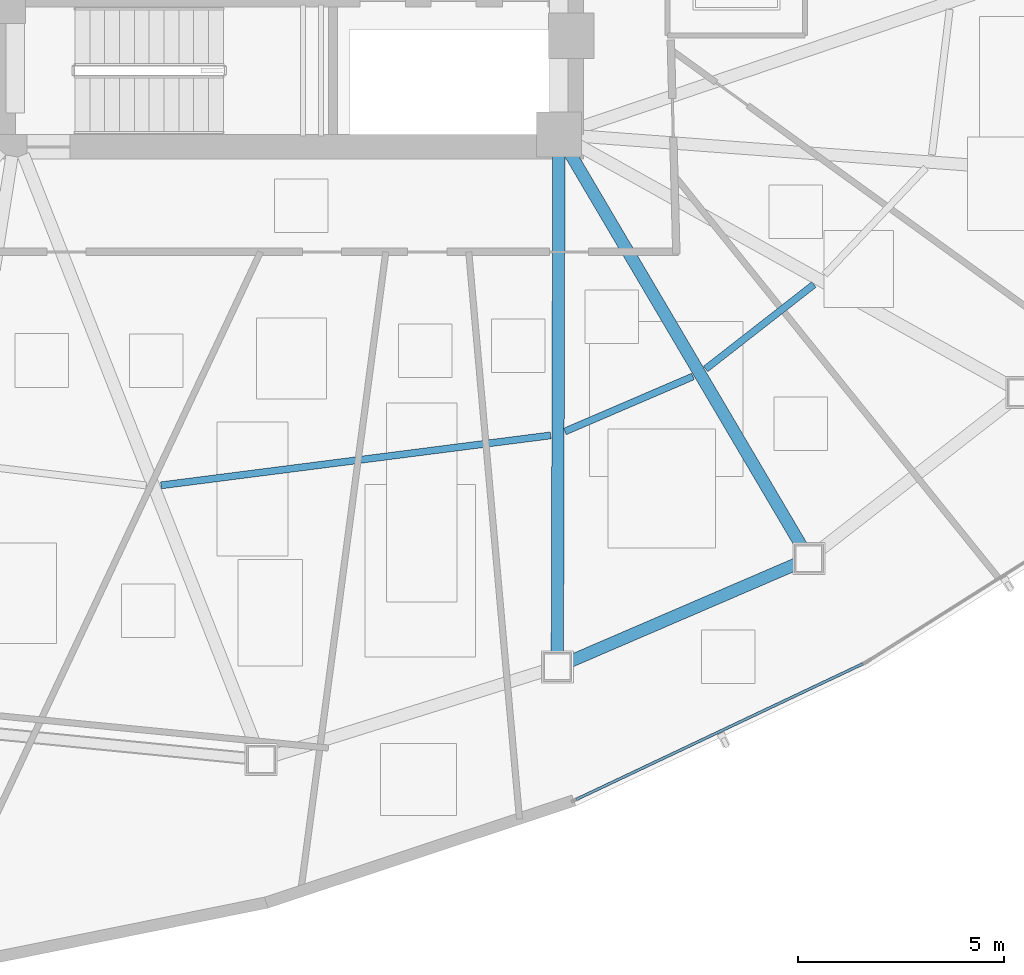
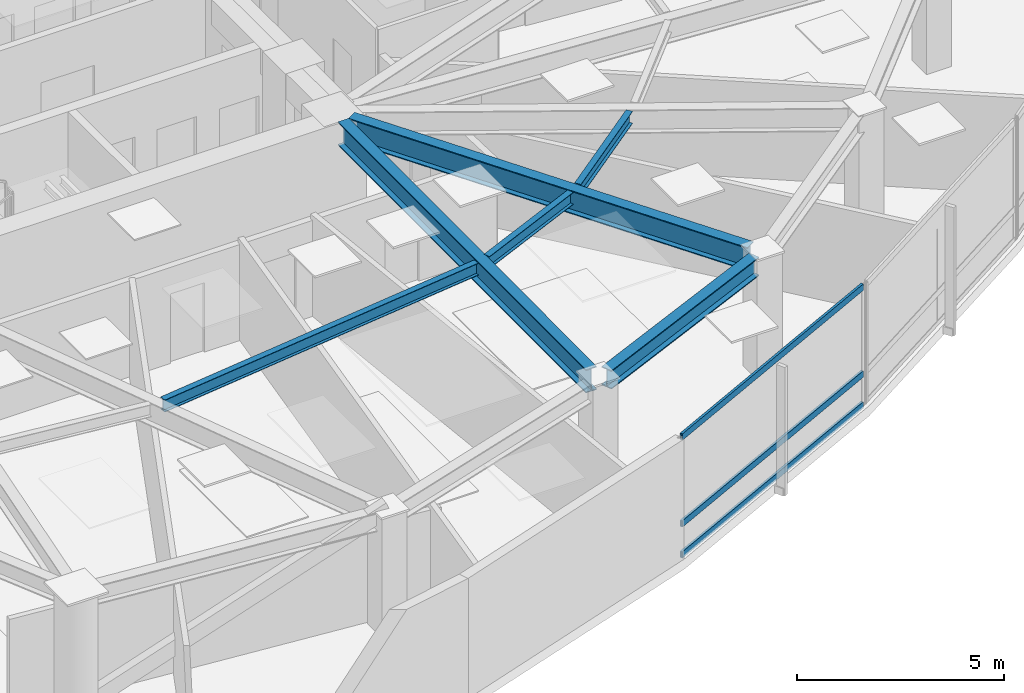
# One storey, part 3 of 17: 6 beams, 3 members, 1 element without a shape of its own.
"""IFC4 building model written with IfcOpenShell, lengths in metres."""

import ifcopenshell
import ifcopenshell.guid

model = None  # the IFC model being written
_history = None  # IfcOwnerHistory: only IFC2X3 demands one
_inside = {}  # id of a spatial element -> (the spatial element, [elements in it])
_under = {}  # id of a project, library or spatial element -> (it, [spatial elements below it])
_declared = {}  # id of a project -> (the project, [libraries it declares])
_typed = {}  # id of a type object -> (the type object, [elements of that type])
_made_of = {}  # id of a material, layer set ... -> (it, [elements and type objects made of it])


def new_model(schema):
    """Start an empty IFC model of exactly this schema.

    Asked for "IFC4X3", IfcOpenShell would pick the latest addendum, in which some entities
    have other attributes; the version numbers below select the first issue.
    IFC2X3 requires an IfcOwnerHistory on every rooted entity: one is made here for all.
    """
    global model, _history
    if schema == "IFC4X3":
        model = ifcopenshell.file(schema_version=(4, 3, 0, 0))
    else:
        model = ifcopenshell.file(schema=schema)
    _inside.clear()
    _under.clear()
    _declared.clear()
    _typed.clear()
    _made_of.clear()
    _history = None
    if model.schema == "IFC2X3":
        org = make("IfcOrganization", Name="unknown")
        user = make(
            "IfcPersonAndOrganization",
            ThePerson=make("IfcPerson", FamilyName="unknown"),
            TheOrganization=org,
        )
        app = make(
            "IfcApplication",
            ApplicationDeveloper=org,
            Version="unknown",
            ApplicationFullName="unknown",
            ApplicationIdentifier="unknown",
        )
        _history = make(
            "IfcOwnerHistory",
            OwningUser=user,
            OwningApplication=app,
            ChangeAction="ADDED",
            CreationDate=0,
        )
    return model


def make(cls, **values):
    """One entity of the class cls with the attributes given. An attribute that is None is left unset."""
    return model.create_entity(
        cls, **{name: value for name, value in values.items() if value is not None}
    )


def rooted(cls, **values):
    """An entity with a GlobalId (a new one), such as an element, a storey or a relation."""
    return make(cls, GlobalId=ifcopenshell.guid.new(), OwnerHistory=_history, **values)


def si_unit(unit_type, name, prefix=None):
    """IfcSIUnit, for example si_unit("LENGTHUNIT", "METRE", prefix="MILLI")."""
    return make("IfcSIUnit", UnitType=unit_type, Prefix=prefix, Name=name)


def assignment(units):
    """IfcUnitAssignment: the units of a project."""
    return None if units is None else make("IfcUnitAssignment", Units=units)


def point(xyz):
    """IfcCartesianPoint."""
    return None if xyz is None else make("IfcCartesianPoint", Coordinates=xyz)


def direction(xyz):
    """IfcDirection."""
    return None if xyz is None else make("IfcDirection", DirectionRatios=xyz)


def frame(location, z_axis=None, x_axis=None):
    """IfcAxis2Placement3D, a coordinate frame: its origin and axes. An axis left out is left unset."""
    return make(
        "IfcAxis2Placement3D",
        Location=point(location),
        Axis=direction(z_axis),
        RefDirection=direction(x_axis),
    )


def frame_2d(location, x_axis=None):
    """IfcAxis2Placement2D, a coordinate frame in the plane: its origin and x axis."""
    return make(
        "IfcAxis2Placement2D", Location=point(location), RefDirection=direction(x_axis)
    )


def origin():
    """The frame at (0, 0, 0) with its axes left unset."""
    return frame((0.0, 0.0, 0.0))


def origin_2d():
    """The frame at (0, 0) in the plane with its x axis left unset."""
    return frame_2d((0.0, 0.0))


def place(relative_to, where):
    """IfcLocalPlacement: puts the frame where relative to a parent placement (None: the world)."""
    return make(
        "IfcLocalPlacement", PlacementRelTo=relative_to, RelativePlacement=where
    )


def context(
    kind, dimensions, precision=None, world=None, true_north=None, identifier=None
):
    """IfcGeometricRepresentationContext, for example the 3D "Model" context."""
    return make(
        "IfcGeometricRepresentationContext",
        ContextIdentifier=identifier,
        ContextType=kind,
        CoordinateSpaceDimension=dimensions,
        Precision=precision,
        WorldCoordinateSystem=world,
        TrueNorth=true_north,
    )


def subcontext(parent, identifier, kind, view, scale=None):
    """IfcGeometricRepresentationSubContext, for example "Body" below "Model"."""
    return make(
        "IfcGeometricRepresentationSubContext",
        ContextIdentifier=identifier,
        ContextType=kind,
        ParentContext=parent,
        TargetScale=scale,
        TargetView=view,
    )


def project(units=None, contexts=None):
    """IfcProject with its units and contexts."""
    return rooted(
        "IfcProject",
        Name="project",
        RepresentationContexts=contexts,
        UnitsInContext=assignment(units),
    )


def spatial(cls, under=None, at=None, **own):
    """A site, building, storey or space (cls), placed at a placement, below another one or the project."""
    s = rooted(cls, ObjectPlacement=at, **own)
    if under is not None:
        _under.setdefault(under.id(), (under, []))[1].append(s)
    return s


def profile(cls, at=None, kind="AREA", **sizes):
    """A parametric profile (cls). Its sizes go by their IFC names, for example OverallWidth=200.0."""
    return make(cls, ProfileType=kind, Position=at, **sizes)


def hollow_rectangle(**sizes):
    """IfcRectangleHollowProfileDef."""
    return profile("IfcRectangleHollowProfileDef", **sizes)


def i_section(**sizes):
    """IfcIShapeProfileDef."""
    return profile("IfcIShapeProfileDef", **sizes)


def extrude(swept, where, along, depth):
    """IfcExtrudedAreaSolid: the profile swept, set in the frame where, extruded along a direction by depth."""
    return make(
        "IfcExtrudedAreaSolid",
        SweptArea=swept,
        Position=where,
        ExtrudedDirection=direction(along),
        Depth=depth,
    )


def shape(context_of_items, identifier, shape_type, items):
    """IfcShapeRepresentation: the items that make up one representation, for example the "Body"."""
    return make(
        "IfcShapeRepresentation",
        ContextOfItems=context_of_items,
        RepresentationIdentifier=identifier,
        RepresentationType=shape_type,
        Items=items,
    )


def source(mapping_origin, context_of_items, identifier, shape_type, items):
    """IfcRepresentationMap: a shape defined once, which mapped items show again and again."""
    return make(
        "IfcRepresentationMap",
        MappingOrigin=mapping_origin,
        MappedRepresentation=shape(context_of_items, identifier, shape_type, items),
    )


def transform(
    local_origin,
    x_axis=None,
    y_axis=None,
    z_axis=None,
    scale=None,
    scale2=None,
    scale3=None,
    uniform=True,
):
    """IfcCartesianTransformationOperator3D, or its non-uniform kind. x_axis, y_axis, z_axis: its Axis1, 2, 3."""
    if uniform:
        return make(
            "IfcCartesianTransformationOperator3D",
            Axis1=direction(x_axis),
            Axis2=direction(y_axis),
            LocalOrigin=point(local_origin),
            Scale=scale,
            Axis3=direction(z_axis),
        )
    return make(
        "IfcCartesianTransformationOperator3DnonUniform",
        Axis1=direction(x_axis),
        Axis2=direction(y_axis),
        LocalOrigin=point(local_origin),
        Scale=scale,
        Axis3=direction(z_axis),
        Scale2=scale2,
        Scale3=scale3,
    )


def mapped(mapping_source, mapping_target):
    """IfcMappedItem: shows the shape of a source again, moved by a transform."""
    return make(
        "IfcMappedItem", MappingSource=mapping_source, MappingTarget=mapping_target
    )


def material(Name=None, Category=None):
    """IfcMaterial."""
    return make("IfcMaterial", Name=Name, Category=Category)


def layer(
    of_material, thickness, ventilated=None, Name=None, Category=None, Priority=None
):
    """IfcMaterialLayer: one layer of a wall or slab, of a material (None: an air gap)."""
    return make(
        "IfcMaterialLayer",
        Material=of_material,
        LayerThickness=thickness,
        IsVentilated=ventilated,
        Name=Name,
        Category=Category,
        Priority=Priority,
    )


def layer_set(layers, Name=None):
    """IfcMaterialLayerSet."""
    return make("IfcMaterialLayerSet", MaterialLayers=layers, LayerSetName=Name)


def material_profile(
    of_material, cross_section, Name=None, Category=None, Priority=None
):
    """IfcMaterialProfile: a cross section and its material."""
    return make(
        "IfcMaterialProfile",
        Name=Name,
        Material=of_material,
        Profile=cross_section,
        Priority=Priority,
        Category=Category,
    )


def profile_set(profiles, Name=None, composite=None):
    """IfcMaterialProfileSet."""
    return make(
        "IfcMaterialProfileSet",
        Name=Name,
        MaterialProfiles=profiles,
        CompositeProfile=composite,
    )


def made_of(thing, what):
    """Note that an element or type object is made of a material, layer set ...; save() writes the relation."""
    if what is not None:
        _made_of.setdefault(what.id(), (what, []))[1].append(thing)
    return thing


def type_object(cls, material=None, **own):
    """A type object (cls), such as IfcWallType, which elements share."""
    return made_of(rooted(cls, **own), material)


def type_shapes(of_type, sources):
    """Give a type object the sources (RepresentationMaps) that its elements show as mapped items."""
    of_type.RepresentationMaps = sources


def element(
    cls,
    number,
    at=None,
    inside=None,
    cuts=None,
    type_object=None,
    material=None,
    context=None,
    identifier="Body",
    shape_type=None,
    held_by="IfcProductDefinitionShape",
    body=None,
    shapes=None,
    **own,
):
    """One element of the class cls, such as IfcWall. Its Tag is "e" and its number.

    at: its placement. inside: the storey or other place that contains it. cuts: it is an
    opening in that element (IfcRelVoidsElement). A single representation is given by context,
    identifier, shape_type and body (its items); several are given by shapes. held_by: the class
    of the entity that holds the representations. save() writes the other relations.
    """
    e = rooted(cls, Tag="e%d" % number, ObjectPlacement=at, **own)
    if body is not None:
        shapes = [shape(context, identifier, shape_type, body)]
    if shapes is not None:
        e.Representation = make(held_by, Representations=shapes)
    if inside is not None:
        _inside.setdefault(inside.id(), (inside, []))[1].append(e)
    if cuts is not None:
        rooted(
            "IfcRelVoidsElement", RelatingBuildingElement=cuts, RelatedOpeningElement=e
        )
    if type_object is not None:
        _typed.setdefault(type_object.id(), (type_object, []))[1].append(e)
    return made_of(e, material)


def aggregate(whole, parts):
    """IfcRelAggregates: a whole, such as a stair, and the parts it consists of."""
    return rooted("IfcRelAggregates", RelatingObject=whole, RelatedObjects=parts)


def save(model, path):
    """Write the relations noted so far, then the file.

    IfcRelAggregates (storeys below a building ...), IfcRelContainedInSpatialStructure (elements
    in a storey), IfcRelDefinesByType, IfcRelAssociatesMaterial and IfcRelDeclares: one each for
    every whole, place, type object, material and project.
    """
    for whole, parts in _under.values():
        aggregate(whole, parts)
    for where, things in _inside.values():
        rooted(
            "IfcRelContainedInSpatialStructure",
            RelatedElements=things,
            RelatingStructure=where,
        )
    for kind, things in _typed.values():
        rooted("IfcRelDefinesByType", RelatedObjects=things, RelatingType=kind)
    for what, things in _made_of.values():
        rooted("IfcRelAssociatesMaterial", RelatedObjects=things, RelatingMaterial=what)
    for by, libraries in _declared.values():
        rooted("IfcRelDeclares", RelatingContext=by, RelatedDefinitions=libraries)
    model.write(path)


model = new_model("IFC4")

# Units and contexts
model_context = context("Model", 3, precision=1e-05, world=origin(), true_north=direction((0.0, 1.0)))
body_context = subcontext(model_context, "Body", "Model", "MODEL_VIEW")
ifc_project = project(units=[si_unit("LENGTHUNIT", "METRE"), si_unit("AREAUNIT", "SQUARE_METRE"), si_unit("VOLUMEUNIT", "CUBIC_METRE"), si_unit("PLANEANGLEUNIT", "RADIAN"), si_unit("MASSUNIT", "GRAM", prefix="KILO")], contexts=[model_context])

# Site, building, storey
site_placement = place(None, origin())
site = spatial("IfcSite", under=ifc_project, at=site_placement, CompositionType="ELEMENT")
building_placement = place(site_placement, origin())
building = spatial("IfcBuilding", under=site, at=building_placement, Name="Tavelor Broadcast Tower", CompositionType="ELEMENT")
storey_placement = place(building_placement, frame((0.0, 0.0, 154.10009765625)))
storey = spatial("IfcBuildingStorey", under=building, at=storey_placement, Name="L36", CompositionType="ELEMENT", Elevation=154.10009765625)

# Beams
ifc_material_1 = material(Name="Steel S355", Category="steel")
ifc_material_profile_1 = material_profile(ifc_material_1, i_section(OverallWidth=0.169921875, OverallDepth=0.360107421875, WebThickness=0.008056640625, FlangeThickness=0.0126953125, at=origin_2d()), Name="IPE 360")
ifc_profile_set_1 = profile_set([ifc_material_profile_1], Name="Steel S355")
beam_type_1 = type_object("IfcBeamType", Name="Composite Floor Joist T3 IPE 360", PredefinedType="JOIST", material=ifc_profile_set_1)
beam_1_placement = place(storey_placement, frame((46.93701171875, 30.280517578125, 3.369873046875), z_axis=(0.991879926303, 0.12717787464, 0.0), x_axis=(-0.12717787464, 0.991879926303, 0.0)))
element("IfcBeam", 1, at=beam_1_placement, inside=storey, type_object=beam_type_1, Name="L36 Secondary Composite Floor Joist 08", PredefinedType="JOIST", context=body_context, shape_type="SweptSolid", body=[
    extrude(i_section(OverallWidth=0.169921875, OverallDepth=0.360107421875, WebThickness=0.008056640625, FlangeThickness=0.0126953125, at=origin_2d()), origin(), (0.0, 0.0, 1.0), 9.538818359375),
])
beam_2_placement = place(storey_placement, frame((56.744384765625, 31.588134765625, 3.369873046875), z_axis=(0.918816463589, 0.394685072225, 0.0), x_axis=(-0.394685072225, 0.918816463589, 0.0)))
element("IfcBeam", 2, at=beam_2_placement, inside=storey, type_object=beam_type_1, Name="L36 Secondary Composite Floor Joist 09", PredefinedType="JOIST", context=body_context, shape_type="SweptSolid", body=[
    extrude(i_section(OverallWidth=0.169921875, OverallDepth=0.360107421875, WebThickness=0.008056640625, FlangeThickness=0.0126953125, at=origin_2d()), origin(), (0.0, 0.0, 1.0), 3.385498046875),
])
beam_3_placement = place(storey_placement, frame((60.163818359375, 33.107177734375, 3.369873046875), z_axis=(0.788471752191, 0.615070968261, 0.0), x_axis=(-0.615070968261, 0.788471752191, 0.0)))
element("IfcBeam", 3, at=beam_3_placement, inside=storey, type_object=beam_type_1, Name="L36 Secondary Composite Floor Joist 10", PredefinedType="JOIST", context=body_context, shape_type="SweptSolid", body=[
    extrude(i_section(OverallWidth=0.169921875, OverallDepth=0.360107421875, WebThickness=0.008056640625, FlangeThickness=0.0126953125, at=origin_2d()), origin(), (0.0, 0.0, 1.0), 3.33251953125),
])
ifc_material_profile_2 = material_profile(ifc_material_1, i_section(OverallWidth=0.300048828125, OverallDepth=0.550048828125, WebThickness=0.014892578125, FlangeThickness=0.029052734375, at=origin_2d()), Name="HEB 550")
ifc_profile_set_2 = profile_set([ifc_material_profile_2], Name="Steel S355")
beam_type_2 = type_object("IfcBeamType", Name="Perimeter Spandrel Beam T3 HEB 550", PredefinedType="SPANDREL", material=ifc_profile_set_2)
beam_4_placement = place(storey_placement, frame((56.86962890625, 26.005615234375, 3.27490234375), z_axis=(0.918448679011, 0.395540167396, 0.0), x_axis=(-0.395540167396, 0.918448679011, 0.0)))
element("IfcBeam", 4, at=beam_4_placement, inside=storey, type_object=beam_type_2, Name="L36 Framed-Tube Ring Spandrel 09", PredefinedType="SPANDREL", context=body_context, shape_type="SweptSolid", body=[
    extrude(i_section(OverallWidth=0.300048828125, OverallDepth=0.550048828125, WebThickness=0.014892578125, FlangeThickness=0.029052734375, at=origin_2d()), origin(), (0.0, 0.0, 1.0), 5.978515625),
])
ifc_material_profile_3 = material_profile(ifc_material_1, i_section(OverallWidth=0.300048828125, OverallDepth=0.68994140625, WebThickness=0.014404296875, FlangeThickness=0.027099609375, at=origin_2d()), Name="HEA 700")
ifc_profile_set_3 = profile_set([ifc_material_profile_3], Name="Steel S355")
beam_type_3 = type_object("IfcBeamType", Name="Radial Floor Girder T3 HEA 700", PredefinedType="BEAM", material=ifc_profile_set_3)
beam_5_placement = place(storey_placement, frame((56.598388671875, 38.27197265625, 3.204833984375), z_axis=(-0.003015509149, -0.999995453342, 0.0), x_axis=(0.999995453342, -0.003015509149, 0.0)))
element("IfcBeam", 5, at=beam_5_placement, inside=storey, type_object=beam_type_3, Name="L36 Radial Primary Floor Girder 09", PredefinedType="BEAM", context=body_context, shape_type="SweptSolid", body=[
    extrude(i_section(OverallWidth=0.300048828125, OverallDepth=0.68994140625, WebThickness=0.014404296875, FlangeThickness=0.027099609375, at=origin_2d()), origin(), (0.0, 0.0, 1.0), 12.063232421875),
])
beam_6_placement = place(storey_placement, frame((56.8681640625, 38.34521484375, 3.204833984375), z_axis=(0.507774310592, -0.861490133143, 0.0), x_axis=(0.861490133143, 0.507774310592, 0.0)))
element("IfcBeam", 6, at=beam_6_placement, inside=storey, type_object=beam_type_3, Name="L36 Radial Primary Floor Girder 10", PredefinedType="BEAM", context=body_context, shape_type="SweptSolid", body=[
    extrude(i_section(OverallWidth=0.300048828125, OverallDepth=0.68994140625, WebThickness=0.014404296875, FlangeThickness=0.027099609375, at=origin_2d()), origin(), (0.0, 0.0, 1.0), 11.08837890625),
])

# Curtain wall, members
ifc_material_2 = material(Name="Architectural Anodized Aluminium", Category="aluminium")
ifc_layer = layer(ifc_material_2, 0.18994140625)
ifc_layer_set = layer_set([ifc_layer], Name="Architectural Anodized Aluminium")
curtain_wall_type = type_object("IfcCurtainWallType", Name="Tower Mid-Zone Acoustic Curtain Wall CW03", PredefinedType="NOTDEFINED", material=ifc_layer_set)
curtain_wall_placement = place(storey_placement, origin())
curtain_wall = element("IfcCurtainWall", 7, at=curtain_wall_placement, inside=storey, type_object=curtain_wall_type, Name="L36 Curtain Wall CW03 Run 377", PredefinedType="NOTDEFINED")
ifc_material_profile_4 = material_profile(ifc_material_2, hollow_rectangle(XDim=0.068115234375, YDim=0.18994140625, WallThickness=0.02197265625, at=origin_2d()), Name="RHS 68x190x22")
ifc_profile_set_4 = profile_set([ifc_material_profile_4], Name="Architectural Anodized Aluminium")
member_type = type_object("IfcMemberType", Name="CW03 Extruded Aluminium Transom 68x190", PredefinedType="USERDEFINED", material=ifc_profile_set_4)
shared_shape = source(origin(), body_context, "Body", "SweptSolid", [
    extrude(hollow_rectangle(XDim=0.068115234375, YDim=0.18994140625, WallThickness=0.02197265625, at=origin_2d()), origin(), (0.0, 0.0, 1.0), 7.700439453125),
])
type_shapes(member_type, [shared_shape])
member_1_placement = place(storey_placement, frame((57.01953125, 22.653076171875, 0.033935546875), z_axis=(0.903894005641, 0.427756503827, 0.0), x_axis=(-0.427756503827, 0.903894005641, 0.0)))
member_1 = element("IfcMember", 8, at=member_1_placement, type_object=member_type, Name="CW03 transom 1.1", ObjectType="TRANSOM", PredefinedType="USERDEFINED", context=body_context, shape_type="MappedRepresentation", body=[
    mapped(shared_shape, transform((0.0, 0.0, 0.0), scale=1.0)),
])
member_2_placement = place(storey_placement, frame((57.01953125, 22.653076171875, 0.949951171875), z_axis=(0.903894005641, 0.427756503827, 0.0), x_axis=(-0.427756503827, 0.903894005641, 0.0)))
member_2 = element("IfcMember", 9, at=member_2_placement, type_object=member_type, Name="CW03 transom 1.2", ObjectType="TRANSOM", PredefinedType="USERDEFINED", context=body_context, shape_type="MappedRepresentation", body=[
    mapped(shared_shape, transform((0.0, 0.0, 0.0), scale=1.0)),
])
member_3_placement = place(storey_placement, frame((57.01953125, 22.653076171875, 3.515869140625), z_axis=(0.903894005641, 0.427756503827, 0.0), x_axis=(-0.427756503827, 0.903894005641, 0.0)))
member_3 = element("IfcMember", 10, at=member_3_placement, type_object=member_type, Name="CW03 transom 1.3", ObjectType="TRANSOM", PredefinedType="USERDEFINED", context=body_context, shape_type="MappedRepresentation", body=[
    mapped(shared_shape, transform((0.0, 0.0, 0.0), scale=1.0)),
])
aggregate(curtain_wall, [member_1, member_2, member_3])

save(model, "model.ifc")
